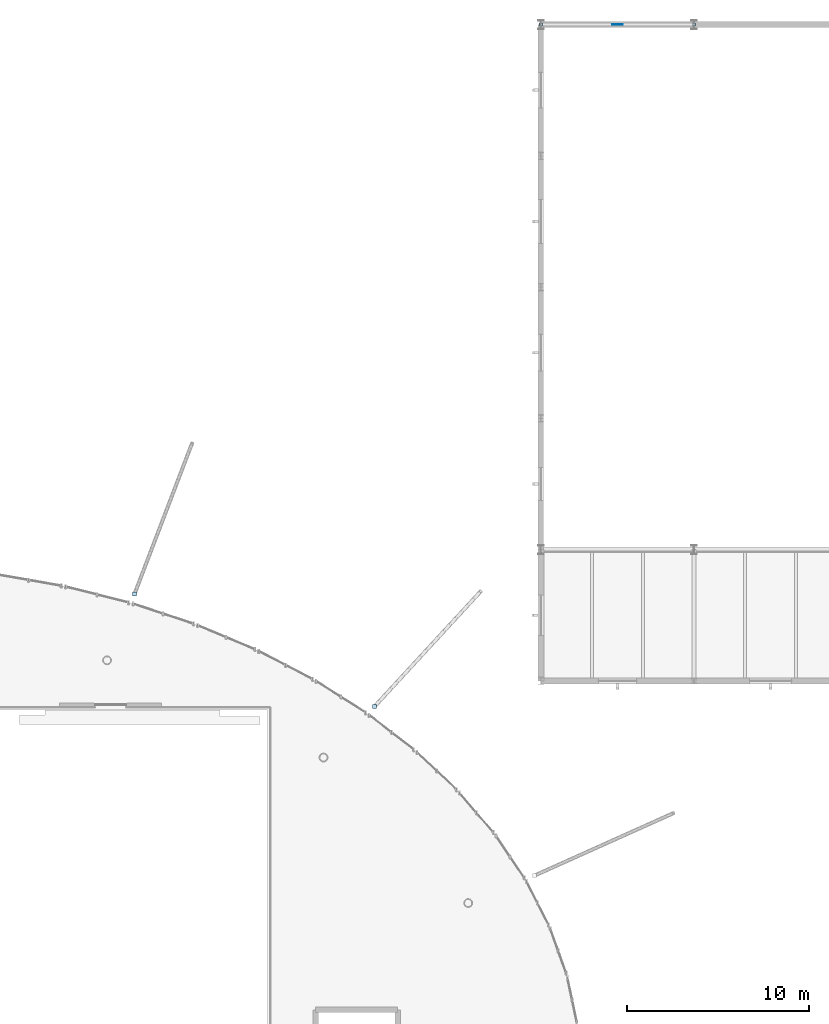
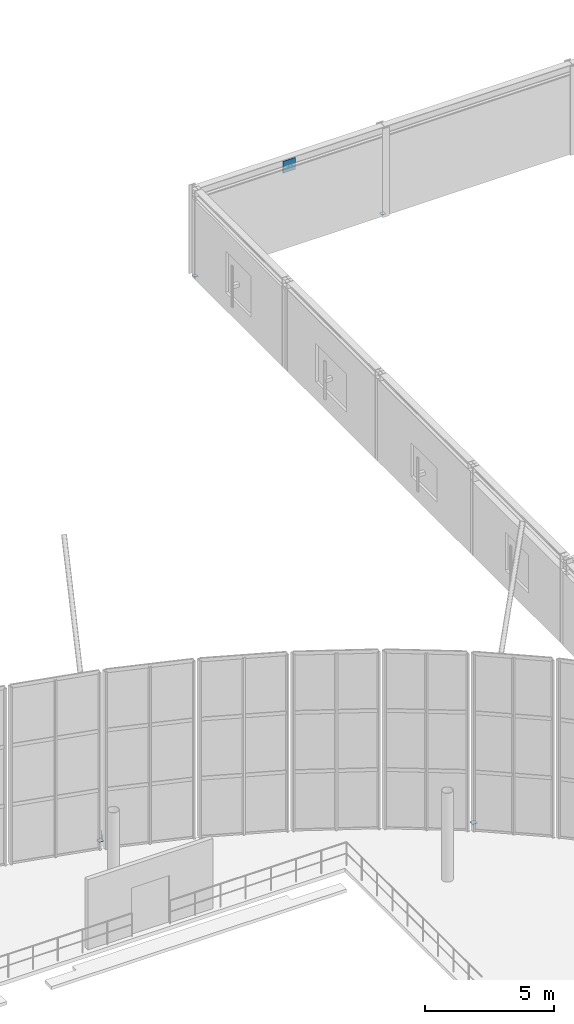
# One storey, part 59 of 109: 5 plates.
"""IFC4 building model written with IfcOpenShell, lengths in metres."""

from ifc_helpers import new_model, si_unit, derived_unit, direction, frame, origin, origin_2d, place, context, subcontext, project, spatial, rectangle, extrude, material, layer, layer_set, type_object, element, save


model = new_model("IFC4")

# Units and contexts
model_context = context("Model", 3, precision=1e-05, world=origin(), true_north=direction((0.0, 1.0)))
body_context = subcontext(model_context, "Body", "Model", "MODEL_VIEW")
ifc_project = project(units=[si_unit("LENGTHUNIT", "METRE"), si_unit("AREAUNIT", "SQUARE_METRE"), si_unit("VOLUMEUNIT", "CUBIC_METRE"), si_unit("PLANEANGLEUNIT", "RADIAN"), si_unit("MASSUNIT", "GRAM", prefix="KILO"), derived_unit("THERMALTRANSMITTANCEUNIT", [(si_unit("MASSUNIT", "GRAM", prefix="KILO"), 1), (si_unit("TIMEUNIT", "SECOND"), -3), (si_unit("THERMODYNAMICTEMPERATUREUNIT", "KELVIN"), -1)])], contexts=[model_context])

# Site, building, storey
site_placement = place(None, origin())
site = spatial("IfcSite", under=ifc_project, at=site_placement, CompositionType="ELEMENT")
building_placement = place(site_placement, origin())
building = spatial("IfcBuilding", under=site, at=building_placement, Name="Kharveza Railside Sports Centre", CompositionType="ELEMENT")
storey_placement = place(building_placement, frame((0.0, 0.0, 4.5)))
storey = spatial("IfcBuildingStorey", under=building, at=storey_placement, Name="L01", CompositionType="ELEMENT", Elevation=4.5)

# Plates
ifc_material = material(Name="Steel S355J2", Category="steel")
ifc_layer_1 = layer(ifc_material, 0.02001953125, Name="Steel S355J2")
ifc_layer_set_1 = layer_set([ifc_layer_1], Name="Steel S355J2")
plate_type_1 = type_object("IfcPlateType", Name="PL-EC08", PredefinedType="USERDEFINED", material=ifc_layer_set_1)
for number, where, z_axis, x_axis, name in (
    (1, (83.273193359375, 70.587890625, -0.010009765625), (0.0, 0.0, 1.0), (1.0, 0.0, 0.0), "PLT-EC-070"),
    (2, (70.117919921875, 76.77685546875, -0.010009765625), (0.0, 0.0, 1.0), (1.0, 0.0, 0.0), "PLT-EC-071"),
):
    element("IfcPlate", number, at=place(storey_placement, frame(where, z_axis=z_axis, x_axis=x_axis)), inside=storey, type_object=plate_type_1, Name=name, ObjectType="END_CAP_PLATE", PredefinedType="USERDEFINED", context=body_context, shape_type="SweptSolid", body=[
        extrude(rectangle(XDim=0.218994140625, YDim=0.218994140625, at=origin_2d()), origin(), (0.0, 0.0, 1.0), 0.02001953125),
    ])
ifc_layer_2 = layer(ifc_material, 0.02001953125, Name="Steel S355J2")
ifc_layer_set_2 = layer_set([ifc_layer_2], Name="Steel S355J2")
plate_type_2 = type_object("IfcPlateType", Name="PL-EC10", PredefinedType="USERDEFINED", material=ifc_layer_set_2)
for number, where, z_axis, x_axis, name in (
    (3, (92.39990234375, 108.0, -0.010009765625), (0.0, 0.0, 1.0), (1.0, 0.0, 0.0), "PLT-EC-150"),
    (4, (100.800048828125, 108.0, -0.010009765625), (0.0, 0.0, 1.0), (1.0, 0.0, 0.0), "PLT-EC-151"),
):
    element("IfcPlate", number, at=place(storey_placement, frame(where, z_axis=z_axis, x_axis=x_axis)), inside=storey, type_object=plate_type_2, Name=name, ObjectType="END_CAP_PLATE", PredefinedType="USERDEFINED", context=body_context, shape_type="SweptSolid", body=[
        extrude(rectangle(XDim=0.179931640625, YDim=0.179931640625, at=origin_2d()), origin(), (0.0, 0.0, 1.0), 0.02001953125),
    ])
ifc_layer_3 = layer(ifc_material, 0.028076171875, Name="Steel S355J2")
ifc_layer_set_3 = layer_set([ifc_layer_3], Name="Steel S355J2")
plate_type_3 = type_object("IfcPlateType", Name="PL-GS05", PredefinedType="USERDEFINED", material=ifc_layer_set_3)
plate_placement = place(storey_placement, frame((96.60009765625, 108.0, 3.469970703125), z_axis=(0.0, 0.0, 1.0), x_axis=(1.0, 0.0, 0.0)))
element("IfcPlate", 5, at=plate_placement, inside=storey, type_object=plate_type_3, Name="PLT-GS-CHEV-002", ObjectType="GUSSET_PLATE", PredefinedType="USERDEFINED", context=body_context, shape_type="SweptSolid", body=[
    extrude(rectangle(XDim=0.56005859375, YDim=0.028076171875, at=origin_2d()), origin(), (0.0, 0.0, 1.0), 0.56005859375),
])

save(model, "model.ifc")
